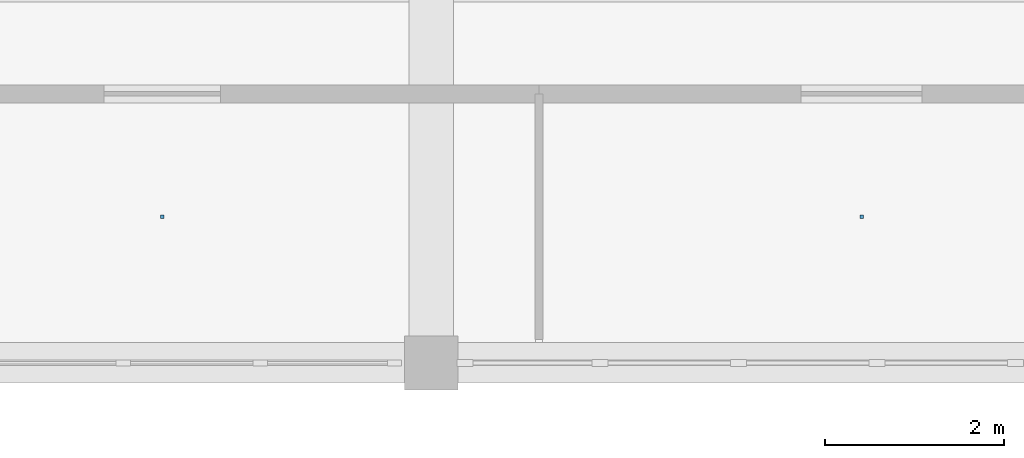
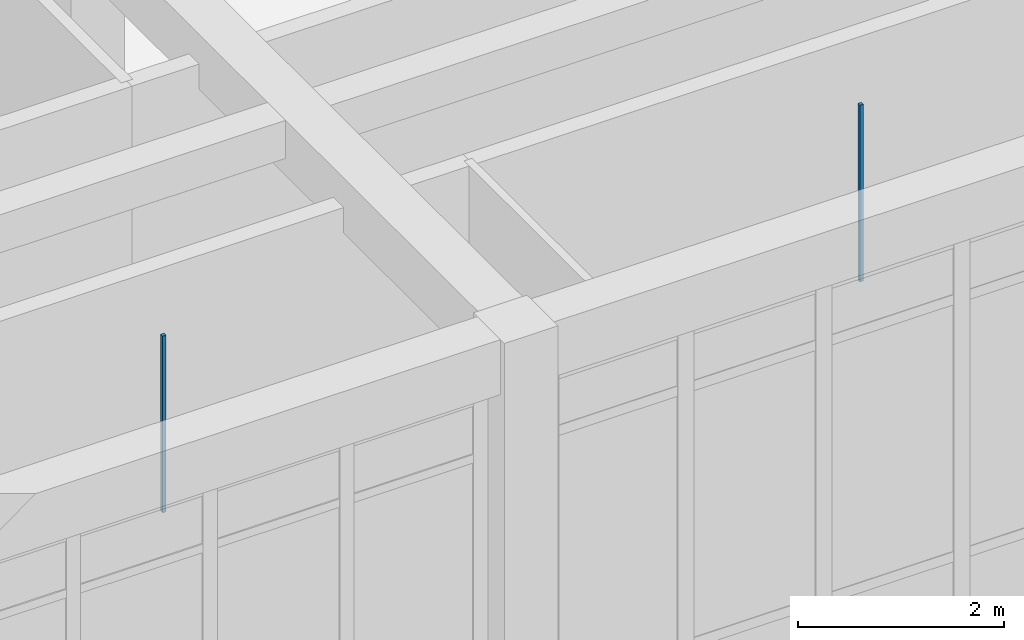
# One storey, part 113 of 157: 2 discrete accessories.
"""IFC4 building model written with IfcOpenShell, lengths in metres."""

from ifc_helpers import new_model, si_unit, direction, frame, origin, origin_2d, place, context, subcontext, project, spatial, rectangle, extrude, material, type_object, element, save


model = new_model("IFC4")

# Units and contexts
model_context = context("Model", 3, precision=1e-05, world=origin(), true_north=direction((0.0, 1.0)))
body_context = subcontext(model_context, "Body", "Model", "MODEL_VIEW")
ifc_project = project(units=[si_unit("LENGTHUNIT", "METRE"), si_unit("AREAUNIT", "SQUARE_METRE"), si_unit("VOLUMEUNIT", "CUBIC_METRE"), si_unit("PLANEANGLEUNIT", "RADIAN"), si_unit("MASSUNIT", "GRAM", prefix="KILO")], contexts=[model_context])

# Site, building, storey
site_placement = place(None, origin())
site = spatial("IfcSite", under=ifc_project, at=site_placement, CompositionType="ELEMENT")
building_placement = place(site_placement, origin())
building = spatial("IfcBuilding", under=site, at=building_placement, Name="Varncliffe General Hospital", CompositionType="ELEMENT")
storey_placement = place(building_placement, frame((0.0, 0.0, 5.39990234375)))
storey = spatial("IfcBuildingStorey", under=building, at=storey_placement, Name="L01", CompositionType="ELEMENT", Elevation=5.39990234375)

# Discrete accessories
ifc_material = material(Name="Powder-coated hospital steel guardrail and handrail", Category="steel")
discrete_accessory_type = type_object("IfcDiscreteAccessoryType", Name="Suspended Ceiling Hanger Bracket CH01", PredefinedType="BRACKET", material=ifc_material)
for number, where, z_axis, x_axis, name in (
    (1, (47.39990234375, 84.429931640625, 3.18994140625), (0.0, 0.0, 1.0), (1.0, 0.0, 0.0), "L01 Suspended Ceiling Hanger 156"),
    (2, (55.199951171875, 84.429931640625, 3.18994140625), (0.0, 0.0, 1.0), (1.0, 0.0, 0.0), "L01 Suspended Ceiling Hanger 157"),
):
    element("IfcDiscreteAccessory", number, at=place(storey_placement, frame(where, z_axis=z_axis, x_axis=x_axis)), inside=storey, type_object=discrete_accessory_type, Name=name, PredefinedType="BRACKET", context=body_context, shape_type="SweptSolid", body=[
        extrude(rectangle(XDim=0.0400390625, YDim=0.0400390625, at=origin_2d()), origin(), (0.0, 0.0, 1.0), 2.090087890625),
    ])

save(model, "model.ifc")
